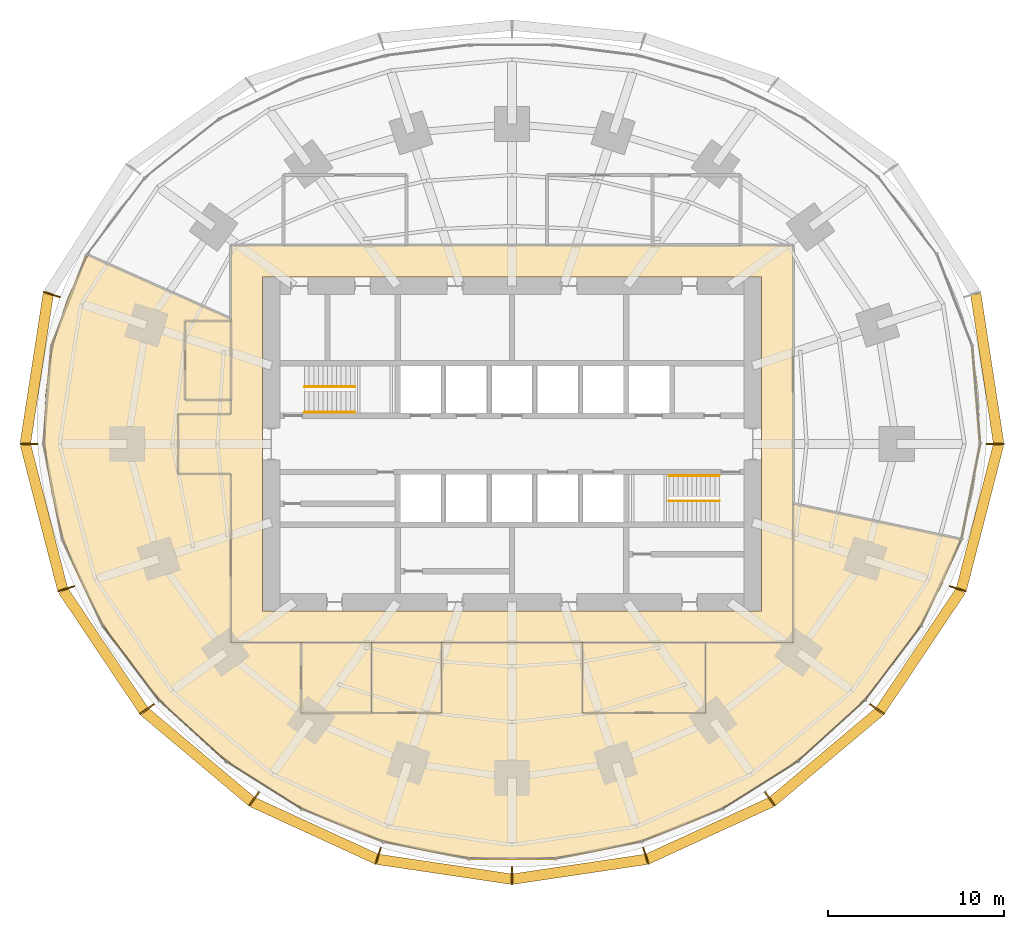
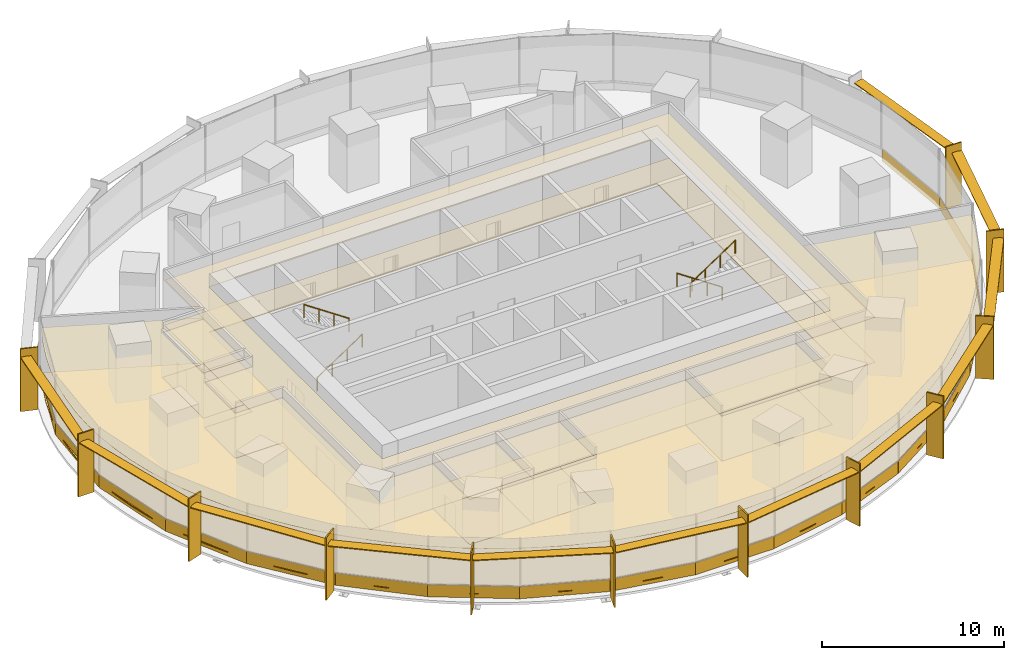
# One storey, part 14 of 15: 30 coverings, 24 shading devices, 4 railings.
"""IFC4 building model written with IfcOpenShell, lengths in metres."""

from ifc_helpers import new_model, si_unit, direction, frame, origin, origin_2d, place, context, subcontext, project, spatial, polyline, rectangle, circle, outline, extrude, material, layer, layer_set, type_object, element, save


model = new_model("IFC4")

# Units and contexts
model_context = context("Model", 3, precision=1e-05, world=origin(), true_north=direction((0.0, 1.0)))
body_context = subcontext(model_context, "Body", "Model", "MODEL_VIEW")
ifc_project = project(units=[si_unit("LENGTHUNIT", "METRE"), si_unit("AREAUNIT", "SQUARE_METRE"), si_unit("VOLUMEUNIT", "CUBIC_METRE"), si_unit("PLANEANGLEUNIT", "RADIAN"), si_unit("MASSUNIT", "GRAM", prefix="KILO")], contexts=[model_context])

# Site, building, storey
site_placement = place(None, origin())
site = spatial("IfcSite", under=ifc_project, at=site_placement, CompositionType="ELEMENT")
building_placement = place(site_placement, origin())
building = spatial("IfcBuilding", under=site, at=building_placement, Name="Marramba Exchange Tower", CompositionType="ELEMENT")
storey_placement = place(building_placement, frame((0.0, 0.0, 36.39990234375)))
storey = spatial("IfcBuildingStorey", under=building, at=storey_placement, Name="L08", CompositionType="ELEMENT", Elevation=36.39990234375)

# Shading devices
ifc_material_1 = material(Name="Aluminium blade, timber-look bronze finish", Category="wood")
ifc_layer_1 = layer(ifc_material_1, 0.080078125)
ifc_layer_set_1 = layer_set([ifc_layer_1], Name="Floor-edge blade 1000x80")
shading_device_type_1 = type_object("IfcShadingDeviceType", Name="Floor-edge blade 1000x80", PredefinedType="USERDEFINED", material=ifc_layer_set_1)
for number, where, z_axis, x_axis, name in (
    (1, (27.5, 0.0, -0.15966796875), (0.0, 0.0, 1.0), (1.0, 0.0, 0.0), "Floor-edge blade FB1 L08 TC01"),
    (2, (-26.193115234375, 8.5107421875, -0.15966796875), (0.0, 0.0, 1.0), (-0.951056516295, 0.309016994375, 0.0), "Floor-edge blade FB1 L08 TC10"),
    (3, (-27.5, 0.0, -0.15966796875), (0.0, 0.0, 1.0), (-1.0, 0.0, 0.0), "Floor-edge blade FB1 L08 TC11"),
    (4, (-25.3740234375, -8.24462890625, -0.15966796875), (0.0, 0.0, 1.0), (-0.951056516295, -0.309016994375, 0.0), "Floor-edge blade FB1 L08 TC12"),
    (5, (-20.773193359375, -15.092529296875, -0.15966796875), (0.0, 0.0, 1.0), (-0.809016994375, -0.587785252292, 0.0), "Floor-edge blade FB1 L08 TC13"),
    (6, (-14.6787109375, -20.20361328125, -0.15966796875), (0.0, 0.0, 1.0), (-0.587785252292, -0.809016994375, 0.0), "Floor-edge blade FB1 L08 TC14"),
    (7, (-7.61767578125, -23.444580078125, -0.15966796875), (0.0, 0.0, 1.0), (-0.309016994375, -0.951056516295, 0.0), "Floor-edge blade FB1 L08 TC15"),
    (8, (0.0, -24.572021484375, -0.15966796875), (0.0, 0.0, 1.0), (0.0, -1.0, 0.0), "Floor-edge blade FB1 L08 TC16"),
    (9, (7.61767578125, -23.444580078125, -0.15966796875), (0.0, 0.0, 1.0), (0.309016994375, -0.951056516295, 0.0), "Floor-edge blade FB1 L08 TC17"),
    (10, (14.6787109375, -20.20361328125, -0.15966796875), (0.0, 0.0, 1.0), (0.587785252292, -0.809016994375, 0.0), "Floor-edge blade FB1 L08 TC18"),
    (11, (20.773193359375, -15.092529296875, -0.15966796875), (0.0, 0.0, 1.0), (0.809016994375, -0.587785252292, 0.0), "Floor-edge blade FB1 L08 TC19"),
    (12, (25.3740234375, -8.24462890625, -0.15966796875), (0.0, 0.0, 1.0), (0.951056516295, -0.309016994375, 0.0), "Floor-edge blade FB1 L08 TC20"),
):
    element("IfcShadingDevice", number, at=place(storey_placement, frame(where, z_axis=z_axis, x_axis=x_axis)), inside=storey, type_object=shading_device_type_1, Name=name, ObjectType="FIN", PredefinedType="USERDEFINED", context=body_context, shape_type="SweptSolid", body=[
        extrude(rectangle(XDim=1.0, YDim=0.080078125, at=origin_2d()), origin(), (0.0, 0.0, 1.0), 4.199951171875),
    ])

# Coverings
ifc_material_2 = material(Name="Steel raised access floor panels", Category="steel")
ifc_layer_2 = layer(ifc_material_2, 0.050048828125)
ifc_layer_set_2 = layer_set([ifc_layer_2], Name="Raised access floor 300")
covering_type_1 = type_object("IfcCoveringType", Name="Raised access floor 300", PredefinedType="FLOORING", material=ifc_layer_set_2)
covering_1_placement = place(storey_placement, frame((0.0, 0.0, 0.25)))
element("IfcCovering", 13, at=covering_1_placement, inside=storey, type_object=covering_type_1, Name="Raised access floor RAF1 L08 Trading Floor 2", PredefinedType="FLOORING", context=body_context, shape_type="SweptSolid", body=[
    extrude(outline(polyline([(-19.0, 1.699951171875), (-19.0, -1.699951171875), (-16.0, -1.699951171875), (-16.0, -11.300048828125), (-12.0, -11.300048828125), (-12.0, -15.300048828125), (-8.0, -15.300048828125), (-4.0, -15.300048828125), (-4.0, -11.300048828125), (4.0, -11.300048828125), (4.0, -15.300048828125), (11.0, -15.300048828125), (11.0, -11.300048828125), (16.0, -11.300048828125), (16.0, -3.40087890625), (16.906494140625, -3.593505859375), (25.50634765625, -5.421630859375), (25.033935546875, -6.707763671875), (24.489501953125, -7.95703125), (23.879150390625, -9.166259765625), (23.208251953125, -10.3330078125), (22.482177734375, -11.455322265625), (21.7060546875, -12.531982421875), (20.88427734375, -13.5625), (20.020751953125, -14.5458984375), (19.119384765625, -15.482421875), (18.1826171875, -16.371826171875), (17.213623046875, -17.213623046875), (16.21435546875, -18.0078125), (15.1865234375, -18.75390625), (14.132080078125, -19.451171875), (13.052490234375, -20.09912109375), (11.94921875, -20.69677734375), (10.82373046875, -21.242919921875), (9.677734375, -21.736328125), (8.512451171875, -22.17578125), (7.330078125, -22.56005859375), (6.1328125, -22.8876953125), (4.92236328125, -23.15771484375), (3.701416015625, -23.368896484375), (2.47216796875, -23.5205078125), (1.2373046875, -23.611572265625), (0.0, -23.64208984375), (-1.2373046875, -23.611572265625), (-2.47216796875, -23.5205078125), (-3.701416015625, -23.368896484375), (-4.92236328125, -23.15771484375), (-6.1328125, -22.8876953125), (-7.330078125, -22.56005859375), (-8.512451171875, -22.17578125), (-9.677734375, -21.736328125), (-10.82373046875, -21.242919921875), (-11.94921875, -20.69677734375), (-13.052490234375, -20.09912109375), (-14.132080078125, -19.451171875), (-15.1865234375, -18.75390625), (-16.21435546875, -18.0078125), (-17.213623046875, -17.213623046875), (-18.1826171875, -16.371826171875), (-19.119384765625, -15.482421875), (-20.020751953125, -14.5458984375), (-20.88427734375, -13.5625), (-21.7060546875, -12.531982421875), (-22.482177734375, -11.455322265625), (-23.208251953125, -10.3330078125), (-23.879150390625, -9.166259765625), (-24.489501953125, -7.95703125), (-25.033935546875, -6.707763671875), (-25.50634765625, -5.421630859375), (-25.9013671875, -4.102294921875), (-26.213623046875, -2.755126953125), (-26.43798828125, -1.385498046875), (-26.570068359375, 0.0), (-26.6064453125, 1.394287109375), (-26.544921875, 2.7900390625), (-26.3837890625, 4.1787109375), (-26.123291015625, 5.552734375), (-25.763916015625, 6.9033203125), (-25.30859375, 8.22314453125), (-24.76025390625, 9.50439453125), (-24.12353515625, 10.740478515625), (-16.0, 7.123779296875), (-16.0, 7.0), (-18.60009765625, 7.0), (-18.60009765625, 2.5), (-16.0, 2.5), (-16.0, 1.699951171875), (-19.0, 1.699951171875)])), origin(), (0.0, 0.0, 1.0), 0.050048828125),
])
covering_2_placement = place(storey_placement, frame((0.0, 0.0, 0.25)))
element("IfcCovering", 14, at=covering_2_placement, inside=storey, type_object=covering_type_1, Name="Raised access floor RAF1 L08 Corridor", PredefinedType="FLOORING", context=body_context, shape_type="SweptSolid", body=[
    extrude(outline(polyline([(-16.0, 11.300048828125), (16.0, 11.300048828125), (16.0, -11.300048828125), (-16.0, -11.300048828125), (-16.0, -1.699951171875), (-19.0, -1.699951171875), (-19.0, 1.699951171875), (-16.0, 1.699951171875), (-16.0, 11.300048828125)]), holes=[polyline([(14.199951171875, 9.5), (-14.199951171875, 9.5), (-14.199951171875, 1.699951171875), (-14.199951171875, -1.699951171875), (-14.199951171875, -9.5), (14.199951171875, -9.5), (14.199951171875, 9.5)])]), origin(), (0.0, 0.0, 1.0), 0.050048828125),
])
covering_3_placement = place(storey_placement, frame((0.0, 0.0, 0.25)))
element("IfcCovering", 15, at=covering_3_placement, inside=storey, type_object=covering_type_1, Name="Raised access floor RAF1 L08 Pantry", PredefinedType="FLOORING", context=body_context, shape_type="SweptSolid", body=[
    extrude(outline(polyline([(11.0, -15.300048828125), (4.0, -15.300048828125), (4.0, -11.300048828125), (11.0, -11.300048828125), (11.0, -15.300048828125)])), origin(), (0.0, 0.0, 1.0), 0.050048828125),
])
covering_4_placement = place(storey_placement, frame((0.0, 0.0, 0.25)))
element("IfcCovering", 16, at=covering_4_placement, inside=storey, type_object=covering_type_1, Name="Raised access floor RAF1 L08 Data Room 2", PredefinedType="FLOORING", context=body_context, shape_type="SweptSolid", body=[
    extrude(outline(polyline([(-8.0, -15.300048828125), (-12.0, -15.300048828125), (-12.0, -11.300048828125), (-8.0, -11.300048828125), (-8.0, -15.300048828125)])), origin(), (0.0, 0.0, 1.0), 0.050048828125),
])
covering_5_placement = place(storey_placement, frame((0.0, 0.0, 0.25)))
element("IfcCovering", 17, at=covering_5_placement, inside=storey, type_object=covering_type_1, Name="Raised access floor RAF1 L08 Print Room", PredefinedType="FLOORING", context=body_context, shape_type="SweptSolid", body=[
    extrude(outline(polyline([(-4.0, -15.300048828125), (-8.0, -15.300048828125), (-8.0, -11.300048828125), (-4.0, -11.300048828125), (-4.0, -15.300048828125)])), origin(), (0.0, 0.0, 1.0), 0.050048828125),
])
covering_6_placement = place(storey_placement, frame((0.0, 0.0, 0.25)))
element("IfcCovering", 18, at=covering_6_placement, inside=storey, type_object=covering_type_1, Name="Raised access floor RAF1 L08 Interview Room", PredefinedType="FLOORING", context=body_context, shape_type="SweptSolid", body=[
    extrude(outline(polyline([(-16.0, 2.5), (-18.60009765625, 2.5), (-18.60009765625, 7.0), (-16.0, 7.0), (-16.0, 2.5)])), origin(), (0.0, 0.0, 1.0), 0.050048828125),
])

# Shading devices
ifc_material_3 = material(Name="Aluminium sunshade, bronze anodised", Category="aluminium")
ifc_layer_3 = layer(ifc_material_3, 0.06005859375)
ifc_layer_set_3 = layer_set([ifc_layer_3], Name="SUNSHADE blade 600x60")
shading_device_type_2 = type_object("IfcShadingDeviceType", Name="SUNSHADE blade 600x60", PredefinedType="USERDEFINED", material=ifc_layer_set_3)
for number, where, z_axis, x_axis, name in (
    (19, (27.04150390625, 4.2861328125, 3.4599609375), (0.0, 0.0, 1.0), (-0.151825486228, 0.988407315701, 0.0), "Sunshade SS1 L08 bay 01"),
    (20, (-27.04150390625, 4.2861328125, 3.4599609375), (0.0, 0.0, 1.0), (-0.151825486228, -0.988407315701, 0.0), "Sunshade SS1 L08 bay 10"),
):
    element("IfcShadingDevice", number, at=place(storey_placement, frame(where, z_axis=z_axis, x_axis=x_axis)), inside=storey, type_object=shading_device_type_2, Name=name, ObjectType="SUNSHADE", PredefinedType="USERDEFINED", context=body_context, shape_type="SweptSolid", body=[
        extrude(rectangle(XDim=8.593017578125, YDim=0.60009765625, at=origin_2d()), origin(), (0.0, 0.0, 1.0), 0.06005859375),
    ])
shading_device_1_placement = place(storey_placement, frame((-26.632080078125, -4.153076171875, 3.4599609375), z_axis=(0.0, 0.0, 1.0), x_axis=(0.249024641331, -0.968497149201, 0.0)))
element("IfcShadingDevice", 21, at=shading_device_1_placement, inside=storey, type_object=shading_device_type_2, Name="Sunshade SS1 L08 bay 11", ObjectType="SUNSHADE", PredefinedType="USERDEFINED", context=body_context, shape_type="SweptSolid", body=[
    extrude(rectangle(XDim=8.49658203125, YDim=0.60009765625, at=origin_2d()), origin(), (0.0, 0.0, 1.0), 0.06005859375),
])
shading_device_2_placement = place(storey_placement, frame((-23.24951171875, -11.75830078125, 3.4599609375), z_axis=(0.0, 0.0, 1.0), x_axis=(0.556924164761, -0.830563347798, 0.0)))
element("IfcShadingDevice", 22, at=shading_device_2_placement, inside=storey, type_object=shading_device_type_2, Name="Sunshade SS1 L08 bay 12", ObjectType="SUNSHADE", PredefinedType="USERDEFINED", context=body_context, shape_type="SweptSolid", body=[
    extrude(rectangle(XDim=8.232177734375, YDim=0.60009765625, at=origin_2d()), origin(), (0.0, 0.0, 1.0), 0.06005859375),
])
shading_device_3_placement = place(storey_placement, frame((-17.86572265625, -17.787841796875, 3.4599609375), z_axis=(0.0, 0.0, 1.0), x_axis=(0.765776068523, -0.643107310546, 0.0)))
element("IfcShadingDevice", 23, at=shading_device_3_placement, inside=storey, type_object=shading_device_type_2, Name="Sunshade SS1 L08 bay 13", ObjectType="SUNSHADE", PredefinedType="USERDEFINED", context=body_context, shape_type="SweptSolid", body=[
    extrude(rectangle(XDim=7.936279296875, YDim=0.60009765625, at=origin_2d()), origin(), (0.0, 0.0, 1.0), 0.06005859375),
])
shading_device_4_placement = place(storey_placement, frame((-11.23779296875, -22.0, 3.4599609375), z_axis=(0.0, 0.0, 1.0), x_axis=(0.908703542008, -0.417442059144, 0.0)))
element("IfcShadingDevice", 24, at=shading_device_4_placement, inside=storey, type_object=shading_device_type_2, Name="Sunshade SS1 L08 bay 14", ObjectType="SUNSHADE", PredefinedType="USERDEFINED", context=body_context, shape_type="SweptSolid", body=[
    extrude(rectangle(XDim=7.751953125, YDim=0.60009765625, at=origin_2d()), origin(), (0.0, 0.0, 1.0), 0.06005859375),
])
for number, where, z_axis, x_axis, name in (
    (25, (-3.839599609375, -24.203369140625, 3.4599609375), (0.0, 0.0, 1.0), (0.989212895923, -0.146484970356, 0.0), "Sunshade SS1 L08 bay 15"),
    (26, (3.839599609375, -24.203369140625, 3.4599609375), (0.0, 0.0, 1.0), (0.989212895923, 0.146484970356, 0.0), "Sunshade SS1 L08 bay 16"),
):
    element("IfcShadingDevice", number, at=place(storey_placement, frame(where, z_axis=z_axis, x_axis=x_axis)), inside=storey, type_object=shading_device_type_2, Name=name, ObjectType="SUNSHADE", PredefinedType="USERDEFINED", context=body_context, shape_type="SweptSolid", body=[
        extrude(rectangle(XDim=7.68310546875, YDim=0.60009765625, at=origin_2d()), origin(), (0.0, 0.0, 1.0), 0.06005859375),
    ])
shading_device_5_placement = place(storey_placement, frame((11.23779296875, -22.0, 3.4599609375), z_axis=(0.0, 0.0, 1.0), x_axis=(0.908703542008, 0.417442059144, 0.0)))
element("IfcShadingDevice", 27, at=shading_device_5_placement, inside=storey, type_object=shading_device_type_2, Name="Sunshade SS1 L08 bay 17", ObjectType="SUNSHADE", PredefinedType="USERDEFINED", context=body_context, shape_type="SweptSolid", body=[
    extrude(rectangle(XDim=7.751953125, YDim=0.60009765625, at=origin_2d()), origin(), (0.0, 0.0, 1.0), 0.06005859375),
])
shading_device_6_placement = place(storey_placement, frame((17.86572265625, -17.787841796875, 3.4599609375), z_axis=(0.0, 0.0, 1.0), x_axis=(0.765776068523, 0.643107310546, 0.0)))
element("IfcShadingDevice", 28, at=shading_device_6_placement, inside=storey, type_object=shading_device_type_2, Name="Sunshade SS1 L08 bay 18", ObjectType="SUNSHADE", PredefinedType="USERDEFINED", context=body_context, shape_type="SweptSolid", body=[
    extrude(rectangle(XDim=7.936279296875, YDim=0.60009765625, at=origin_2d()), origin(), (0.0, 0.0, 1.0), 0.06005859375),
])
shading_device_7_placement = place(storey_placement, frame((23.24951171875, -11.75830078125, 3.4599609375), z_axis=(0.0, 0.0, 1.0), x_axis=(0.556924164761, 0.830563347798, 0.0)))
element("IfcShadingDevice", 29, at=shading_device_7_placement, inside=storey, type_object=shading_device_type_2, Name="Sunshade SS1 L08 bay 19", ObjectType="SUNSHADE", PredefinedType="USERDEFINED", context=body_context, shape_type="SweptSolid", body=[
    extrude(rectangle(XDim=8.232177734375, YDim=0.60009765625, at=origin_2d()), origin(), (0.0, 0.0, 1.0), 0.06005859375),
])
shading_device_8_placement = place(storey_placement, frame((26.632080078125, -4.153076171875, 3.4599609375), z_axis=(0.0, 0.0, 1.0), x_axis=(0.249024641331, 0.968497149201, 0.0)))
element("IfcShadingDevice", 30, at=shading_device_8_placement, inside=storey, type_object=shading_device_type_2, Name="Sunshade SS1 L08 bay 20", ObjectType="SUNSHADE", PredefinedType="USERDEFINED", context=body_context, shape_type="SweptSolid", body=[
    extrude(rectangle(XDim=8.49658203125, YDim=0.60009765625, at=origin_2d()), origin(), (0.0, 0.0, 1.0), 0.06005859375),
])

# Coverings
ifc_material_4 = material(Name="Aluminium spandrel panel, bronze anodised, insulated", Category="aluminium")
ifc_layer_4 = layer(ifc_material_4, 0.050048828125)
ifc_layer_set_4 = layer_set([ifc_layer_4], Name="Spandrel panel 800")
covering_type_2 = type_object("IfcCoveringType", Name="Spandrel panel 800", PredefinedType="CLADDING", material=ifc_layer_set_4)
covering_7_placement = place(storey_placement, frame((26.42578125, 2.78466796875, 0.0), z_axis=(0.0, 0.0, 1.0), x_axis=(-0.080275227657, 0.996772736297, 0.0)))
element("IfcCovering", 31, at=covering_7_placement, inside=storey, type_object=covering_type_2, Name="Spandrel panel SP1 L08 F01", PredefinedType="CLADDING", context=body_context, shape_type="SweptSolid", body=[
    extrude(rectangle(XDim=5.58740234375, YDim=0.050048828125, at=origin_2d()), origin(), (0.0, 0.0, 1.0), 0.800048828125),
])
covering_8_placement = place(storey_placement, frame((-25.198974609375, 8.171142578125, 0.0), z_axis=(0.0, 0.0, 1.0), x_axis=(-0.359525512701, -0.933135255854, 0.0)))
element("IfcCovering", 32, at=covering_8_placement, inside=storey, type_object=covering_type_2, Name="Spandrel panel SP1 L08 F14", PredefinedType="CLADDING", context=body_context, shape_type="SweptSolid", body=[
    extrude(rectangle(XDim=5.57666015625, YDim=0.050048828125, at=origin_2d()), origin(), (0.0, 0.0, 1.0), 0.800048828125),
])
covering_9_placement = place(storey_placement, frame((-26.42578125, 2.78466796875, 0.0), z_axis=(0.0, 0.0, 1.0), x_axis=(-0.080275227657, -0.996772736297, 0.0)))
element("IfcCovering", 33, at=covering_9_placement, inside=storey, type_object=covering_type_2, Name="Spandrel panel SP1 L08 F15", PredefinedType="CLADDING", context=body_context, shape_type="SweptSolid", body=[
    extrude(rectangle(XDim=5.58740234375, YDim=0.050048828125, at=origin_2d()), origin(), (0.0, 0.0, 1.0), 0.800048828125),
])
covering_10_placement = place(storey_placement, frame((-26.117431640625, -2.718994140625, 0.0), z_axis=(0.0, 0.0, 1.0), x_axis=(0.19224858127, -0.981346260501, 0.0)))
element("IfcCovering", 34, at=covering_10_placement, inside=storey, type_object=covering_type_2, Name="Spandrel panel SP1 L08 F16", PredefinedType="CLADDING", context=body_context, shape_type="SweptSolid", body=[
    extrude(rectangle(XDim=5.54150390625, YDim=0.050048828125, at=origin_2d()), origin(), (0.0, 0.0, 1.0), 0.800048828125),
])
covering_11_placement = place(storey_placement, frame((-24.432861328125, -7.90185546875, 0.0), z_axis=(0.0, 0.0, 1.0), x_axis=(0.423477213559, -0.905906755464, 0.0)))
element("IfcCovering", 35, at=covering_11_placement, inside=storey, type_object=covering_type_2, Name="Spandrel panel SP1 L08 F17", PredefinedType="CLADDING", context=body_context, shape_type="SweptSolid", body=[
    extrude(rectangle(XDim=5.439208984375, YDim=0.050048828125, at=origin_2d()), origin(), (0.0, 0.0, 1.0), 0.800048828125),
])
covering_12_placement = place(storey_placement, frame((-21.683349609375, -12.479248046875, 0.0), z_axis=(0.0, 0.0, 1.0), x_axis=(0.603040469481, -0.797710594243, 0.0)))
element("IfcCovering", 36, at=covering_12_placement, inside=storey, type_object=covering_type_2, Name="Spandrel panel SP1 L08 F18", PredefinedType="CLADDING", context=body_context, shape_type="SweptSolid", body=[
    extrude(rectangle(XDim=5.299560546875, YDim=0.050048828125, at=origin_2d()), origin(), (0.0, 0.0, 1.0), 0.800048828125),
])
covering_13_placement = place(storey_placement, frame((-18.1767578125, -16.330078125, 0.0), z_axis=(0.0, 0.0, 1.0), x_axis=(0.739589582203, -0.673058132628, 0.0)))
element("IfcCovering", 37, at=covering_13_placement, inside=storey, type_object=covering_type_2, Name="Spandrel panel SP1 L08 F19", PredefinedType="CLADDING", context=body_context, shape_type="SweptSolid", body=[
    extrude(rectangle(XDim=5.161865234375, YDim=0.050048828125, at=origin_2d()), origin(), (0.0, 0.0, 1.0), 0.800048828125),
])
covering_14_placement = place(storey_placement, frame((-14.128662109375, -19.416748046875, 0.0), z_axis=(0.0, 0.0, 1.0), x_axis=(0.845790829799, -0.533514641062, 0.0)))
element("IfcCovering", 38, at=covering_14_placement, inside=storey, type_object=covering_type_2, Name="Spandrel panel SP1 L08 F20", PredefinedType="CLADDING", context=body_context, shape_type="SweptSolid", body=[
    extrude(rectangle(XDim=5.05859375, YDim=0.050048828125, at=origin_2d()), origin(), (0.0, 0.0, 1.0), 0.800048828125),
])
covering_15_placement = place(storey_placement, frame((-9.672119140625, -21.701171875, 0.0), z_axis=(0.0, 0.0, 1.0), x_axis=(0.927340675001, -0.374218215069, 0.0)))
element("IfcCovering", 39, at=covering_15_placement, inside=storey, type_object=covering_type_2, Name="Spandrel panel SP1 L08 F21", PredefinedType="CLADDING", context=body_context, shape_type="SweptSolid", body=[
    extrude(rectangle(XDim=4.99755859375, YDim=0.050048828125, at=origin_2d()), origin(), (0.0, 0.0, 1.0), 0.800048828125),
])
covering_16_placement = place(storey_placement, frame((-4.917724609375, -23.1181640625, 0.0), z_axis=(0.0, 0.0, 1.0), x_axis=(0.981009201842, -0.193961196898, 0.0)))
element("IfcCovering", 40, at=covering_16_placement, inside=storey, type_object=covering_type_2, Name="Spandrel panel SP1 L08 F22", PredefinedType="CLADDING", context=body_context, shape_type="SweptSolid", body=[
    extrude(rectangle(XDim=4.96875, YDim=0.050048828125, at=origin_2d()), origin(), (0.0, 0.0, 1.0), 0.800048828125),
])
covering_17_placement = place(storey_placement, frame((0.0, -23.599853515625, 0.0), z_axis=(0.0, 0.0, 1.0), x_axis=(1.0, 0.0, 0.0)))
element("IfcCovering", 41, at=covering_17_placement, inside=storey, type_object=covering_type_2, Name="Spandrel panel SP1 L08 F23", PredefinedType="CLADDING", context=body_context, shape_type="SweptSolid", body=[
    extrude(rectangle(XDim=4.9609375, YDim=0.050048828125, at=origin_2d()), origin(), (0.0, 0.0, 1.0), 0.800048828125),
])
covering_18_placement = place(storey_placement, frame((4.917724609375, -23.1181640625, 0.0), z_axis=(0.0, 0.0, 1.0), x_axis=(0.981009201842, 0.193961196898, 0.0)))
element("IfcCovering", 42, at=covering_18_placement, inside=storey, type_object=covering_type_2, Name="Spandrel panel SP1 L08 F24", PredefinedType="CLADDING", context=body_context, shape_type="SweptSolid", body=[
    extrude(rectangle(XDim=4.96875, YDim=0.050048828125, at=origin_2d()), origin(), (0.0, 0.0, 1.0), 0.800048828125),
])
covering_19_placement = place(storey_placement, frame((9.672119140625, -21.701171875, 0.0), z_axis=(0.0, 0.0, 1.0), x_axis=(0.927340675001, 0.374218215069, 0.0)))
element("IfcCovering", 43, at=covering_19_placement, inside=storey, type_object=covering_type_2, Name="Spandrel panel SP1 L08 F25", PredefinedType="CLADDING", context=body_context, shape_type="SweptSolid", body=[
    extrude(rectangle(XDim=4.99755859375, YDim=0.050048828125, at=origin_2d()), origin(), (0.0, 0.0, 1.0), 0.800048828125),
])
covering_20_placement = place(storey_placement, frame((14.128662109375, -19.416748046875, 0.0), z_axis=(0.0, 0.0, 1.0), x_axis=(0.845790829799, 0.533514641062, 0.0)))
element("IfcCovering", 44, at=covering_20_placement, inside=storey, type_object=covering_type_2, Name="Spandrel panel SP1 L08 F26", PredefinedType="CLADDING", context=body_context, shape_type="SweptSolid", body=[
    extrude(rectangle(XDim=5.05859375, YDim=0.050048828125, at=origin_2d()), origin(), (0.0, 0.0, 1.0), 0.800048828125),
])
covering_21_placement = place(storey_placement, frame((18.1767578125, -16.330078125, 0.0), z_axis=(0.0, 0.0, 1.0), x_axis=(0.739589582203, 0.673058132628, 0.0)))
element("IfcCovering", 45, at=covering_21_placement, inside=storey, type_object=covering_type_2, Name="Spandrel panel SP1 L08 F27", PredefinedType="CLADDING", context=body_context, shape_type="SweptSolid", body=[
    extrude(rectangle(XDim=5.161865234375, YDim=0.050048828125, at=origin_2d()), origin(), (0.0, 0.0, 1.0), 0.800048828125),
])
covering_22_placement = place(storey_placement, frame((21.683349609375, -12.479248046875, 0.0), z_axis=(0.0, 0.0, 1.0), x_axis=(0.603040469481, 0.797710594243, 0.0)))
element("IfcCovering", 46, at=covering_22_placement, inside=storey, type_object=covering_type_2, Name="Spandrel panel SP1 L08 F28", PredefinedType="CLADDING", context=body_context, shape_type="SweptSolid", body=[
    extrude(rectangle(XDim=5.299560546875, YDim=0.050048828125, at=origin_2d()), origin(), (0.0, 0.0, 1.0), 0.800048828125),
])
covering_23_placement = place(storey_placement, frame((24.432861328125, -7.90185546875, 0.0), z_axis=(0.0, 0.0, 1.0), x_axis=(0.423477213559, 0.905906755464, 0.0)))
element("IfcCovering", 47, at=covering_23_placement, inside=storey, type_object=covering_type_2, Name="Spandrel panel SP1 L08 F29", PredefinedType="CLADDING", context=body_context, shape_type="SweptSolid", body=[
    extrude(rectangle(XDim=5.439208984375, YDim=0.050048828125, at=origin_2d()), origin(), (0.0, 0.0, 1.0), 0.800048828125),
])
covering_24_placement = place(storey_placement, frame((26.117431640625, -2.718994140625, 0.0), z_axis=(0.0, 0.0, 1.0), x_axis=(0.19224858127, 0.981346260501, 0.0)))
element("IfcCovering", 48, at=covering_24_placement, inside=storey, type_object=covering_type_2, Name="Spandrel panel SP1 L08 F30", PredefinedType="CLADDING", context=body_context, shape_type="SweptSolid", body=[
    extrude(rectangle(XDim=5.54150390625, YDim=0.050048828125, at=origin_2d()), origin(), (0.0, 0.0, 1.0), 0.800048828125),
])

# Railings
ifc_material_5 = material(Name="Stainless steel handrail", Category="steel")
railing_type = type_object("IfcRailingType", Name="Stair handrail 900", PredefinedType="HANDRAIL", material=ifc_material_5)
railing_1_placement = place(storey_placement, frame((-11.800048828125, 1.800048828125, 0.175048828125)))
element("IfcRailing", 49, at=railing_1_placement, inside=storey, type_object=railing_type, Name="Handrail HR1 ST1 L08 flight 1", PredefinedType="HANDRAIL", context=body_context, shape_type="SweptSolid", body=[
    extrude(circle(Radius=0.02392578125, at=origin_2d()), frame((0.0, 0.0, 0.8759765625), z_axis=(0.829590901723, 0.0, 0.558371682465), x_axis=(0.0, 1.0, 0.0)), (0.0, 0.0, 1.0), 3.447509765625),
    extrude(circle(Radius=0.02099609375, at=origin_2d()), origin(), (0.0, 0.0, 1.0), 0.851806640625),
    extrude(circle(Radius=0.02099609375, at=origin_2d()), frame((0.953369140625, 0.0, 0.6416015625)), (0.0, 0.0, 1.0), 0.851806640625),
    extrude(circle(Radius=0.02099609375, at=origin_2d()), frame((1.90673828125, 0.0, 1.283447265625)), (0.0, 0.0, 1.0), 0.851806640625),
    extrude(circle(Radius=0.02099609375, at=origin_2d()), frame((2.860107421875, 0.0, 1.925048828125)), (0.0, 0.0, 1.0), 0.851806640625),
])
for number, where, name in (
    (50, (-8.93994140625, 3.25, 2.275146484375), "Handrail HR1 ST1 L08 flight 2"),
    (51, (11.800048828125, -1.800048828125, 0.175048828125), "Handrail HR1 ST2 L08 flight 1"),
):
    element("IfcRailing", number, at=place(storey_placement, frame(where)), inside=storey, type_object=railing_type, Name=name, PredefinedType="HANDRAIL", context=body_context, shape_type="SweptSolid", body=[
        extrude(circle(Radius=0.02392578125, at=origin_2d()), frame((0.0, 0.0, 0.8759765625), z_axis=(-0.829590901723, 0.0, 0.558371682465), x_axis=(0.0, -1.0, 0.0)), (0.0, 0.0, 1.0), 3.447509765625),
        extrude(circle(Radius=0.02099609375, at=origin_2d()), origin(), (0.0, 0.0, 1.0), 0.851806640625),
        extrude(circle(Radius=0.02099609375, at=origin_2d()), frame((-0.953369140625, 0.0, 0.6416015625)), (0.0, 0.0, 1.0), 0.851806640625),
        extrude(circle(Radius=0.02099609375, at=origin_2d()), frame((-1.90673828125, 0.0, 1.283447265625)), (0.0, 0.0, 1.0), 0.851806640625),
        extrude(circle(Radius=0.02099609375, at=origin_2d()), frame((-2.860107421875, 0.0, 1.925048828125)), (0.0, 0.0, 1.0), 0.851806640625),
    ])
railing_2_placement = place(storey_placement, frame((8.93994140625, -3.25, 2.275146484375)))
element("IfcRailing", 52, at=railing_2_placement, inside=storey, type_object=railing_type, Name="Handrail HR1 ST2 L08 flight 2", PredefinedType="HANDRAIL", context=body_context, shape_type="SweptSolid", body=[
    extrude(circle(Radius=0.02392578125, at=origin_2d()), frame((0.0, 0.0, 0.8759765625), z_axis=(0.829590901723, 0.0, 0.558371682465), x_axis=(0.0, 1.0, 0.0)), (0.0, 0.0, 1.0), 3.447509765625),
    extrude(circle(Radius=0.02099609375, at=origin_2d()), origin(), (0.0, 0.0, 1.0), 0.851806640625),
    extrude(circle(Radius=0.02099609375, at=origin_2d()), frame((0.953369140625, 0.0, 0.6416015625)), (0.0, 0.0, 1.0), 0.851806640625),
    extrude(circle(Radius=0.02099609375, at=origin_2d()), frame((1.90673828125, 0.0, 1.283447265625)), (0.0, 0.0, 1.0), 0.851806640625),
    extrude(circle(Radius=0.02099609375, at=origin_2d()), frame((2.860107421875, 0.0, 1.925048828125)), (0.0, 0.0, 1.0), 0.851806640625),
])

# Coverings
ifc_material_6 = material(Name="Mineral fibre ceiling tiles", Category="gypsum")
ifc_layer_5 = layer(ifc_material_6, 0.02001953125)
ifc_layer_set_5 = layer_set([ifc_layer_5], Name="Suspended ceiling 20")
covering_type_3 = type_object("IfcCoveringType", Name="Suspended ceiling 20", PredefinedType="CEILING", material=ifc_layer_set_5)
covering_25_placement = place(storey_placement, frame((0.0, 0.0, 3.300048828125)))
element("IfcCovering", 53, at=covering_25_placement, inside=storey, type_object=covering_type_3, Name="Ceiling CL1 L08 Trading Floor 2", PredefinedType="CEILING", context=body_context, shape_type="SweptSolid", body=[
    extrude(outline(polyline([(-19.0, 1.699951171875), (-19.0, -1.699951171875), (-16.0, -1.699951171875), (-16.0, -11.300048828125), (-12.0, -11.300048828125), (-12.0, -15.300048828125), (-8.0, -15.300048828125), (-4.0, -15.300048828125), (-4.0, -11.300048828125), (4.0, -11.300048828125), (4.0, -15.300048828125), (11.0, -15.300048828125), (11.0, -11.300048828125), (16.0, -11.300048828125), (16.0, -3.40087890625), (16.906494140625, -3.593505859375), (25.50634765625, -5.421630859375), (25.033935546875, -6.707763671875), (24.489501953125, -7.95703125), (23.879150390625, -9.166259765625), (23.208251953125, -10.3330078125), (22.482177734375, -11.455322265625), (21.7060546875, -12.531982421875), (20.88427734375, -13.5625), (20.020751953125, -14.5458984375), (19.119384765625, -15.482421875), (18.1826171875, -16.371826171875), (17.213623046875, -17.213623046875), (16.21435546875, -18.0078125), (15.1865234375, -18.75390625), (14.132080078125, -19.451171875), (13.052490234375, -20.09912109375), (11.94921875, -20.69677734375), (10.82373046875, -21.242919921875), (9.677734375, -21.736328125), (8.512451171875, -22.17578125), (7.330078125, -22.56005859375), (6.1328125, -22.8876953125), (4.92236328125, -23.15771484375), (3.701416015625, -23.368896484375), (2.47216796875, -23.5205078125), (1.2373046875, -23.611572265625), (0.0, -23.64208984375), (-1.2373046875, -23.611572265625), (-2.47216796875, -23.5205078125), (-3.701416015625, -23.368896484375), (-4.92236328125, -23.15771484375), (-6.1328125, -22.8876953125), (-7.330078125, -22.56005859375), (-8.512451171875, -22.17578125), (-9.677734375, -21.736328125), (-10.82373046875, -21.242919921875), (-11.94921875, -20.69677734375), (-13.052490234375, -20.09912109375), (-14.132080078125, -19.451171875), (-15.1865234375, -18.75390625), (-16.21435546875, -18.0078125), (-17.213623046875, -17.213623046875), (-18.1826171875, -16.371826171875), (-19.119384765625, -15.482421875), (-20.020751953125, -14.5458984375), (-20.88427734375, -13.5625), (-21.7060546875, -12.531982421875), (-22.482177734375, -11.455322265625), (-23.208251953125, -10.3330078125), (-23.879150390625, -9.166259765625), (-24.489501953125, -7.95703125), (-25.033935546875, -6.707763671875), (-25.50634765625, -5.421630859375), (-25.9013671875, -4.102294921875), (-26.213623046875, -2.755126953125), (-26.43798828125, -1.385498046875), (-26.570068359375, 0.0), (-26.6064453125, 1.394287109375), (-26.544921875, 2.7900390625), (-26.3837890625, 4.1787109375), (-26.123291015625, 5.552734375), (-25.763916015625, 6.9033203125), (-25.30859375, 8.22314453125), (-24.76025390625, 9.50439453125), (-24.12353515625, 10.740478515625), (-16.0, 7.123779296875), (-16.0, 7.0), (-18.60009765625, 7.0), (-18.60009765625, 2.5), (-16.0, 2.5), (-16.0, 1.699951171875), (-19.0, 1.699951171875)])), origin(), (0.0, 0.0, 1.0), 0.02001953125),
])
covering_26_placement = place(storey_placement, frame((0.0, 0.0, 3.300048828125)))
element("IfcCovering", 54, at=covering_26_placement, inside=storey, type_object=covering_type_3, Name="Ceiling CL1 L08 Corridor", PredefinedType="CEILING", context=body_context, shape_type="SweptSolid", body=[
    extrude(outline(polyline([(-16.0, 11.300048828125), (16.0, 11.300048828125), (16.0, -11.300048828125), (-16.0, -11.300048828125), (-16.0, -1.699951171875), (-19.0, -1.699951171875), (-19.0, 1.699951171875), (-16.0, 1.699951171875), (-16.0, 11.300048828125)]), holes=[polyline([(14.199951171875, 9.5), (-14.199951171875, 9.5), (-14.199951171875, 1.699951171875), (-14.199951171875, -1.699951171875), (-14.199951171875, -9.5), (14.199951171875, -9.5), (14.199951171875, 9.5)])]), origin(), (0.0, 0.0, 1.0), 0.02001953125),
])
covering_27_placement = place(storey_placement, frame((0.0, 0.0, 3.300048828125)))
element("IfcCovering", 55, at=covering_27_placement, inside=storey, type_object=covering_type_3, Name="Ceiling CL1 L08 Pantry", PredefinedType="CEILING", context=body_context, shape_type="SweptSolid", body=[
    extrude(outline(polyline([(11.0, -15.300048828125), (4.0, -15.300048828125), (4.0, -11.300048828125), (11.0, -11.300048828125), (11.0, -15.300048828125)])), origin(), (0.0, 0.0, 1.0), 0.02001953125),
])
covering_28_placement = place(storey_placement, frame((0.0, 0.0, 3.300048828125)))
element("IfcCovering", 56, at=covering_28_placement, inside=storey, type_object=covering_type_3, Name="Ceiling CL1 L08 Data Room 2", PredefinedType="CEILING", context=body_context, shape_type="SweptSolid", body=[
    extrude(outline(polyline([(-8.0, -15.300048828125), (-12.0, -15.300048828125), (-12.0, -11.300048828125), (-8.0, -11.300048828125), (-8.0, -15.300048828125)])), origin(), (0.0, 0.0, 1.0), 0.02001953125),
])
covering_29_placement = place(storey_placement, frame((0.0, 0.0, 3.300048828125)))
element("IfcCovering", 57, at=covering_29_placement, inside=storey, type_object=covering_type_3, Name="Ceiling CL1 L08 Print Room", PredefinedType="CEILING", context=body_context, shape_type="SweptSolid", body=[
    extrude(outline(polyline([(-4.0, -15.300048828125), (-8.0, -15.300048828125), (-8.0, -11.300048828125), (-4.0, -11.300048828125), (-4.0, -15.300048828125)])), origin(), (0.0, 0.0, 1.0), 0.02001953125),
])
covering_30_placement = place(storey_placement, frame((0.0, 0.0, 3.300048828125)))
element("IfcCovering", 58, at=covering_30_placement, inside=storey, type_object=covering_type_3, Name="Ceiling CL1 L08 Interview Room", PredefinedType="CEILING", context=body_context, shape_type="SweptSolid", body=[
    extrude(outline(polyline([(-16.0, 2.5), (-18.60009765625, 2.5), (-18.60009765625, 7.0), (-16.0, 7.0), (-16.0, 2.5)])), origin(), (0.0, 0.0, 1.0), 0.02001953125),
])

save(model, "model.ifc")
